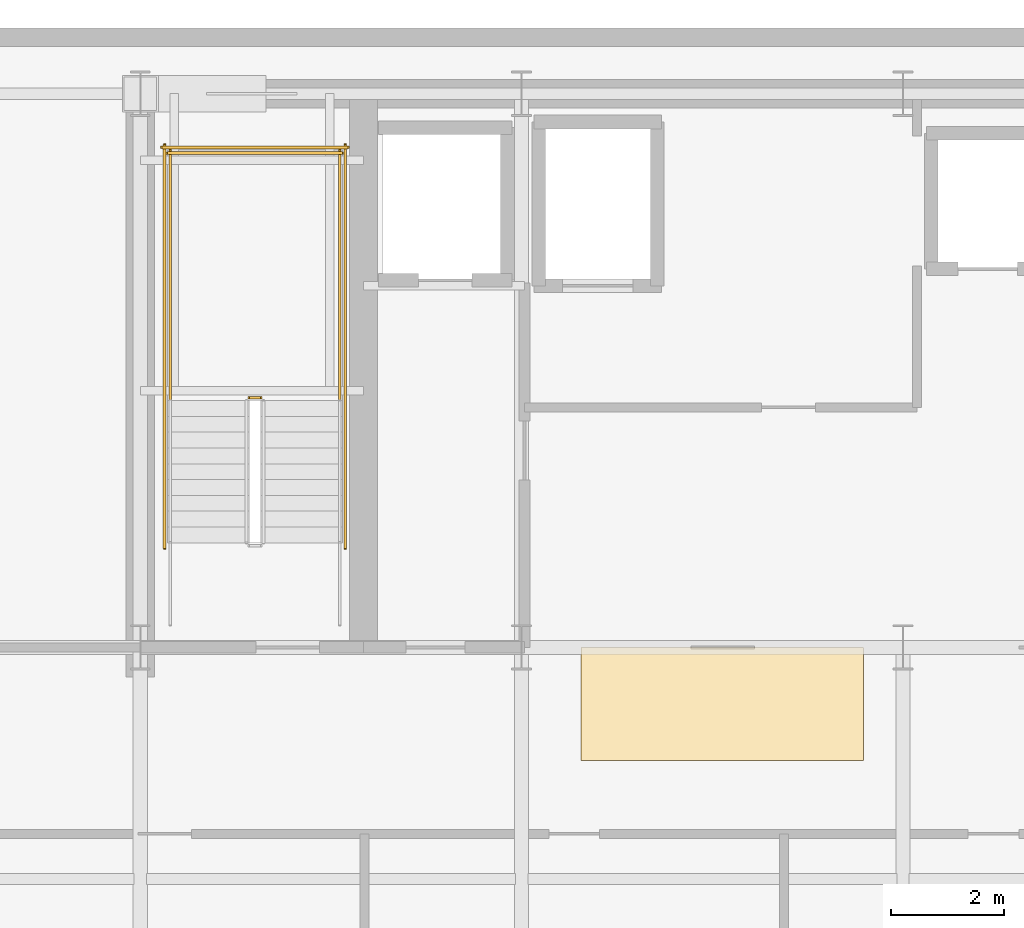
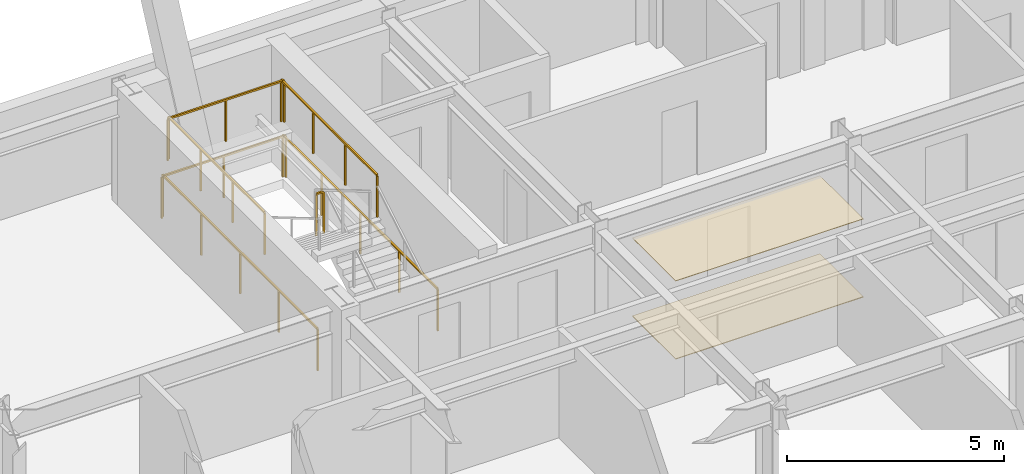
# One storey, part 12 of 15: 7 railings, 2 coverings.
"""IFC4 building model written with IfcOpenShell, lengths in metres."""

from ifc_helpers import new_model, si_unit, direction, frame, origin, origin_2d, place, context, subcontext, project, spatial, polyline, rectangle, outline, extrude, material, layer, layer_set, type_object, element, save


model = new_model("IFC4")

# Units and contexts
model_context = context("Model", 3, precision=1e-05, world=origin(), true_north=direction((0.0, 1.0)))
body_context = subcontext(model_context, "Body", "Model", "MODEL_VIEW")
ifc_project = project(units=[si_unit("LENGTHUNIT", "METRE"), si_unit("AREAUNIT", "SQUARE_METRE"), si_unit("VOLUMEUNIT", "CUBIC_METRE"), si_unit("PLANEANGLEUNIT", "RADIAN"), si_unit("MASSUNIT", "GRAM", prefix="KILO")], contexts=[model_context])

# Site, building, storey
site_placement = place(None, origin())
site = spatial("IfcSite", under=ifc_project, at=site_placement, CompositionType="ELEMENT")
building_placement = place(site_placement, origin())
building = spatial("IfcBuilding", under=site, at=building_placement, Name="Haevon Station Towers", CompositionType="ELEMENT")
storey_placement = place(building_placement, frame((0.0, 0.0, 103.199951171875)))
storey = spatial("IfcBuildingStorey", under=building, at=storey_placement, Name="L27", CompositionType="ELEMENT", Elevation=103.199951171875)

# Coverings
ifc_material_1 = material(Name="Gypsum acoustic ceiling tile", Category="concrete")
ifc_layer_1 = layer(ifc_material_1, 0.014892578125)
ifc_layer_set_1 = layer_set([ifc_layer_1], Name="Gypsum acoustic ceiling tile")
covering_type_1 = type_object("IfcCoveringType", Name="COV-CEIL15", PredefinedType="CEILING", material=ifc_layer_set_1)
covering_1_placement = place(storey_placement, frame((0.0, 0.0, 2.199951171875)))
element("IfcCovering", 1, at=covering_1_placement, inside=storey, type_object=covering_type_1, Name="L27 Acoustic Corridor Ceiling", PredefinedType="CEILING", context=body_context, shape_type="SweptSolid", body=[
    extrude(outline(polyline([(31.800048828125, 36.199951171875), (36.800048828125, 36.199951171875), (36.800048828125, 38.199951171875), (31.800048828125, 38.199951171875), (31.800048828125, 36.199951171875)])), origin(), (0.0, 0.0, 1.0), 0.01513671875),
])
ifc_material_2 = material(Name="Granite stone paving", Category="masonry")
ifc_layer_2 = layer(ifc_material_2, 0.02001953125)
ifc_layer_set_2 = layer_set([ifc_layer_2], Name="Granite stone paving")
covering_type_2 = type_object("IfcCoveringType", Name="COV-FLR20", PredefinedType="FLOORING", material=ifc_layer_set_2)
covering_2_placement = place(storey_placement, origin())
element("IfcCovering", 2, at=covering_2_placement, inside=storey, type_object=covering_type_2, Name="L27 Corridor Stone Flooring", PredefinedType="FLOORING", context=body_context, shape_type="SweptSolid", body=[
    extrude(outline(polyline([(31.800048828125, 36.199951171875), (36.800048828125, 36.199951171875), (36.800048828125, 38.199951171875), (31.800048828125, 38.199951171875), (31.800048828125, 36.199951171875)])), origin(), (0.0, 0.0, 1.0), 0.02001953125),
])

# Railings
ifc_material_3 = material(Name="Steel S355", Category="steel")
railing_type = type_object("IfcRailingType", Name="GRD-STR1200", PredefinedType="GUARDRAIL", material=ifc_material_3)
railing_1_placement = place(storey_placement, frame((26.1298828125, 42.6201171875, 1.650146484375)))
element("IfcRailing", 3, at=railing_1_placement, inside=storey, type_object=railing_type, Name="L27 ST1 Stair Guard 2", PredefinedType="GUARDRAIL", context=body_context, shape_type="SweptSolid", body=[
    extrude(rectangle(XDim=0.048095703125, YDim=0.048095703125, at=origin_2d()), frame((0.0, 0.0, 1.17578125), z_axis=(-1.0, 0.0, 0.0), x_axis=(0.0, -1.0, 0.0)), (0.0, 0.0, 1.0), 0.199951171875),
    extrude(rectangle(XDim=0.0419921875, YDim=0.0419921875, at=origin_2d()), origin(), (0.0, 0.0, 1.0), 1.15185546875),
    extrude(rectangle(XDim=0.0419921875, YDim=0.0419921875, at=origin_2d()), frame((-0.199951171875, 0.0, 0.0)), (0.0, 0.0, 1.0), 1.15185546875),
])
for number, where, name in (
    (4, (27.530029296875, 42.570068359375, 1.650146484375), "L27 ST1 Stair Guard 3"),
    (5, (24.530029296875, 42.570068359375, 1.650146484375), "L27 ST1 Stair Guard 4"),
):
    element("IfcRailing", number, at=place(storey_placement, frame(where)), inside=storey, type_object=railing_type, Name=name, PredefinedType="GUARDRAIL", context=body_context, shape_type="SweptSolid", body=[
        extrude(rectangle(XDim=0.048095703125, YDim=0.048095703125, at=origin_2d()), frame((0.0, 0.0, 1.17578125), z_axis=(0.0, 1.0, 0.0), x_axis=(-1.0, 0.0, 0.0)), (0.0, 0.0, 1.0), 4.429931640625),
        extrude(rectangle(XDim=0.0419921875, YDim=0.0419921875, at=origin_2d()), origin(), (0.0, 0.0, 1.0), 1.15185546875),
        extrude(rectangle(XDim=0.0419921875, YDim=0.0419921875, at=origin_2d()), frame((0.0, 1.4765625, 0.0)), (0.0, 0.0, 1.0), 1.15185546875),
        extrude(rectangle(XDim=0.0419921875, YDim=0.0419921875, at=origin_2d()), frame((0.0, 2.953369140625, 0.0)), (0.0, 0.0, 1.0), 1.15185546875),
        extrude(rectangle(XDim=0.0419921875, YDim=0.0419921875, at=origin_2d()), frame((0.0, 4.429931640625, 0.0)), (0.0, 0.0, 1.0), 1.15185546875),
    ])
railing_2_placement = place(storey_placement, frame((27.580078125, 46.949951171875, 1.650146484375)))
element("IfcRailing", 6, at=railing_2_placement, inside=storey, type_object=railing_type, Name="L27 ST1 Stair Guard 5", PredefinedType="GUARDRAIL", context=body_context, shape_type="SweptSolid", body=[
    extrude(rectangle(XDim=0.048095703125, YDim=0.048095703125, at=origin_2d()), frame((0.0, 0.0, 1.17578125), z_axis=(-1.0, 0.0, 0.0), x_axis=(0.0, -1.0, 0.0)), (0.0, 0.0, 1.0), 3.10009765625),
    extrude(rectangle(XDim=0.0419921875, YDim=0.0419921875, at=origin_2d()), origin(), (0.0, 0.0, 1.0), 1.15185546875),
    extrude(rectangle(XDim=0.0419921875, YDim=0.0419921875, at=origin_2d()), frame((-1.550048828125, 0.0, 0.0)), (0.0, 0.0, 1.0), 1.15185546875),
    extrude(rectangle(XDim=0.0419921875, YDim=0.0419921875, at=origin_2d()), frame((-3.10009765625, 0.0, 0.0)), (0.0, 0.0, 1.0), 1.15185546875),
])
for number, where, name in (
    (7, (27.6298828125, 39.949951171875, 0.0), "L27 ST1 Stair Guard 10"),
    (8, (24.429931640625, 39.949951171875, 0.0), "L27 ST1 Stair Guard 11"),
):
    element("IfcRailing", number, at=place(storey_placement, frame(where)), inside=storey, type_object=railing_type, Name=name, PredefinedType="GUARDRAIL", context=body_context, shape_type="SweptSolid", body=[
        extrude(rectangle(XDim=0.048095703125, YDim=0.048095703125, at=origin_2d()), frame((0.0, 0.0, 1.17578125), z_axis=(0.0, 1.0, 0.0), x_axis=(-1.0, 0.0, 0.0)), (0.0, 0.0, 1.0), 7.150146484375),
        extrude(rectangle(XDim=0.0419921875, YDim=0.0419921875, at=origin_2d()), origin(), (0.0, 0.0, 1.0), 1.15185546875),
        extrude(rectangle(XDim=0.0419921875, YDim=0.0419921875, at=origin_2d()), frame((0.0, 1.78759765625, 0.0)), (0.0, 0.0, 1.0), 1.15185546875),
        extrude(rectangle(XDim=0.0419921875, YDim=0.0419921875, at=origin_2d()), frame((0.0, 3.5751953125, 0.0)), (0.0, 0.0, 1.0), 1.15185546875),
        extrude(rectangle(XDim=0.0419921875, YDim=0.0419921875, at=origin_2d()), frame((0.0, 5.362548828125, 0.0)), (0.0, 0.0, 1.0), 1.15185546875),
        extrude(rectangle(XDim=0.0419921875, YDim=0.0419921875, at=origin_2d()), frame((0.0, 7.150146484375, 0.0)), (0.0, 0.0, 1.0), 1.15185546875),
    ])
railing_3_placement = place(storey_placement, frame((27.679931640625, 47.050048828125, 0.0)))
element("IfcRailing", 9, at=railing_3_placement, inside=storey, type_object=railing_type, Name="L27 ST1 Stair Guard 12", PredefinedType="GUARDRAIL", context=body_context, shape_type="SweptSolid", body=[
    extrude(rectangle(XDim=0.048095703125, YDim=0.048095703125, at=origin_2d()), frame((0.0, 0.0, 1.17578125), z_axis=(-1.0, 0.0, 0.0), x_axis=(0.0, -1.0, 0.0)), (0.0, 0.0, 1.0), 3.300048828125),
    extrude(rectangle(XDim=0.0419921875, YDim=0.0419921875, at=origin_2d()), origin(), (0.0, 0.0, 1.0), 1.15185546875),
    extrude(rectangle(XDim=0.0419921875, YDim=0.0419921875, at=origin_2d()), frame((-1.64990234375, 0.0, 0.0)), (0.0, 0.0, 1.0), 1.15185546875),
    extrude(rectangle(XDim=0.0419921875, YDim=0.0419921875, at=origin_2d()), frame((-3.300048828125, 0.0, 0.0)), (0.0, 0.0, 1.0), 1.15185546875),
])

save(model, "model.ifc")
